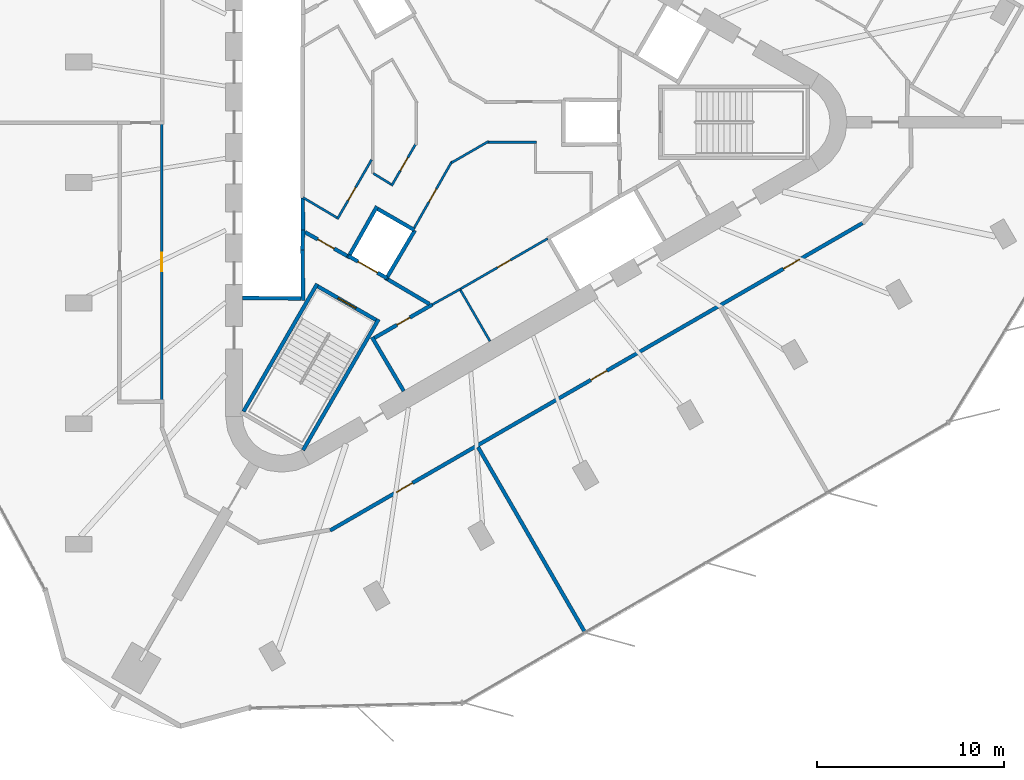
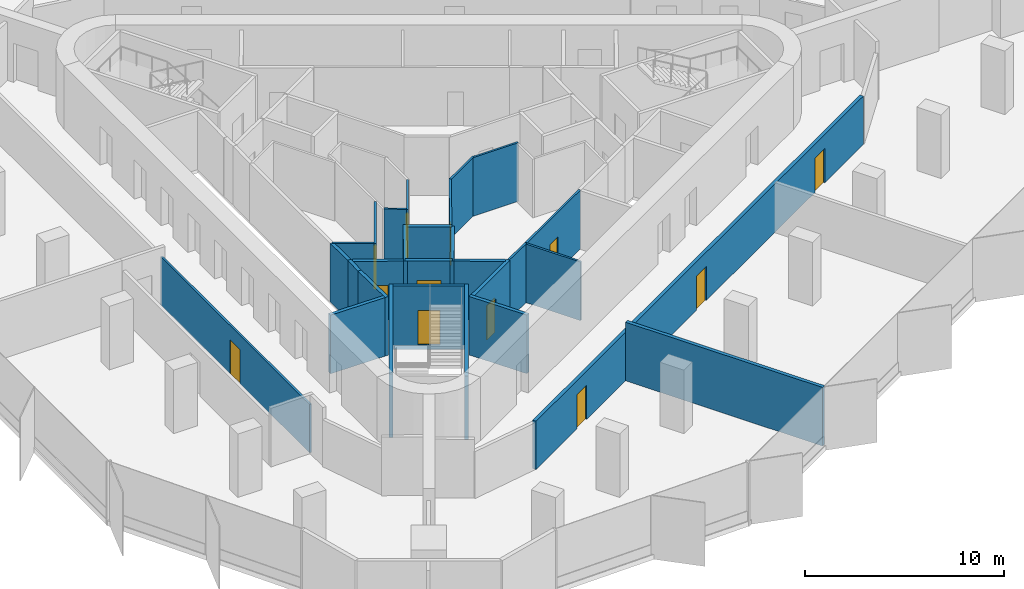
# One storey, part 7 of 12: 28 walls, 12 doors, 12 openings.
"""IFC4 building model written with IfcOpenShell, lengths in metres."""

from ifc_helpers import new_model, si_unit, direction, frame, frame_2d, origin, place, context, subcontext, project, spatial, rectangle, extrude, material, layer, layer_set, type_object, element, fill, save


model = new_model("IFC4")

# Units and contexts
model_context = context("Model", 3, precision=1e-05, world=origin(), true_north=direction((0.0, 1.0)))
body_context = subcontext(model_context, "Body", "Model", "MODEL_VIEW")
ifc_project = project(units=[si_unit("LENGTHUNIT", "METRE"), si_unit("AREAUNIT", "SQUARE_METRE"), si_unit("VOLUMEUNIT", "CUBIC_METRE"), si_unit("PLANEANGLEUNIT", "RADIAN"), si_unit("MASSUNIT", "GRAM", prefix="KILO")], contexts=[model_context])

# Site, building, storey
site_placement = place(None, origin())
site = spatial("IfcSite", under=ifc_project, at=site_placement, CompositionType="ELEMENT")
building_placement = place(site_placement, origin())
building = spatial("IfcBuilding", under=site, at=building_placement, Name="Tanit Gate Tower", CompositionType="ELEMENT")
storey_placement = place(building_placement, frame((0.0, 0.0, 333.800048828125)))
storey = spatial("IfcBuildingStorey", under=building, at=storey_placement, Name="L75", CompositionType="ELEMENT", Elevation=333.800048828125)

# Wall
ifc_material_1 = material(Name="Fire-rated gypsum board partition")
ifc_layer_1 = layer(ifc_material_1, 0.199951171875)
ifc_layer_set_1 = layer_set([ifc_layer_1], Name="INT-WALL-COMPARTMENT")
wall_type_1 = type_object("IfcWallType", Name="INT-WALL-COMPARTMENT", PredefinedType="PARTITIONING", material=ifc_layer_set_1)
wall_1_placement = place(storey_placement, frame((-4.259765625, -11.523681640625, 0.0), z_axis=(0.0, 0.0, 1.0), x_axis=(0.507997497166, -0.861358544901, 0.0)))
element("IfcWall", 1, at=wall_1_placement, inside=storey, type_object=wall_type_1, Name="Wall Compartment W053", PredefinedType="PARTITIONING", context=body_context, shape_type="SweptSolid", body=[
    extrude(rectangle(XDim=3.350341796875, YDim=0.199951171875, at=frame_2d((1.67529296875, 0.0))), origin(), (0.0, 0.0, 1.0), 3.599853515625),
])

# Wall, opening, door
wall_2_placement = place(storey_placement, frame((-1.02392578125, -9.77099609375, 0.0), z_axis=(0.0, 0.0, 1.0), x_axis=(-0.866029903013, -0.499992207027, 0.0)))
wall_2 = element("IfcWall", 2, at=wall_2_placement, inside=storey, type_object=wall_type_1, Name="Wall Compartment W054", PredefinedType="PARTITIONING", context=body_context, shape_type="SweptSolid", body=[
    extrude(rectangle(XDim=3.57763671875, YDim=0.199951171875, at=frame_2d((1.788818359375, 0.0))), origin(), (0.0, 0.0, 1.0), 3.599853515625),
])
opening_1_placement = place(wall_2_placement, frame((1.388916015625, 0.0, 0.0)))
opening_1 = element("IfcOpeningElement", 3, at=opening_1_placement, cuts=wall_2, Name="Opening R08-S21-17", PredefinedType="OPENING", context=body_context, shape_type="SweptSolid", body=[
    extrude(rectangle(XDim=0.800048828125, YDim=2.10009765625, at=frame_2d((0.39990234375, 1.050048828125))), frame((0.0, 0.10986328125, 0.0), z_axis=(0.0, -1.0, 0.0), x_axis=(1.0, 0.0, 0.0)), (0.0, 0.0, 1.0), 0.219970703125),
])
ifc_material_2 = material(Name="Timber door leaf", Category="wood")
door_type_1 = type_object("IfcDoorType", Name="INT-DOOR-RISER-800", OperationType="NOTDEFINED", PredefinedType="USERDEFINED", material=ifc_material_2)
door_1_placement = place(opening_1_placement, origin())
door_1 = element("IfcDoor", 4, at=door_1_placement, inside=storey, type_object=door_type_1, Name="Door R08-S21-17", ObjectType="FIRE DOOR", OperationType="SINGLE_SWING_RIGHT", OverallHeight=2.10009765625, OverallWidth=0.800048828125, PredefinedType="USERDEFINED", context=body_context, shape_type="SweptSolid", body=[
    extrude(rectangle(XDim=0.800048828125, YDim=2.10009765625, at=frame_2d((0.39990234375, 1.050048828125))), frame((0.0, 0.02490234375, 0.0), z_axis=(0.0, -1.0, 0.0), x_axis=(1.0, 0.0, 0.0)), (0.0, 0.0, 1.0), 0.050048828125),
])
fill(opening_1, door_1)

# Wall
wall_3_placement = place(storey_placement, frame((-3.400634765625, -8.43017578125, 0.0), z_axis=(0.0, 0.0, 1.0), x_axis=(0.860630814782, -0.509229418482, 0.0)))
element("IfcWall", 5, at=wall_3_placement, inside=storey, type_object=wall_type_1, Name="Wall Compartment W063", PredefinedType="PARTITIONING", context=body_context, shape_type="SweptSolid", body=[
    extrude(rectangle(XDim=2.581787109375, YDim=0.199951171875, at=frame_2d((1.291015625, 0.0))), origin(), (0.0, 0.0, 1.0), 3.599853515625),
])

# Wall, opening, door
wall_4_placement = place(storey_placement, frame((-7.849365234375, -5.893798828125, 0.0), z_axis=(0.0, 0.0, 1.0), x_axis=(0.871363259478, -0.490638431059, 0.0)))
wall_4 = element("IfcWall", 6, at=wall_4_placement, inside=storey, type_object=wall_type_1, Name="Wall Compartment W064", PredefinedType="PARTITIONING", context=body_context, shape_type="SweptSolid", body=[
    extrude(rectangle(XDim=2.5810546875, YDim=0.199951171875, at=frame_2d((1.29052734375, 0.0))), origin(), (0.0, 0.0, 1.0), 3.599853515625),
])
opening_2_placement = place(wall_4_placement, frame((0.79052734375, 0.0, 0.0)))
opening_2 = element("IfcOpeningElement", 7, at=opening_2_placement, cuts=wall_4, Name="Opening F10-S21-08", PredefinedType="OPENING", context=body_context, shape_type="SweptSolid", body=[
    extrude(rectangle(XDim=1.0, YDim=2.10009765625, at=frame_2d((0.5, 1.050048828125))), frame((0.0, 0.10986328125, 0.0), z_axis=(0.0, -1.0, 0.0), x_axis=(1.0, 0.0, 0.0)), (0.0, 0.0, 1.0), 0.219970703125),
])
ifc_material_3 = material(Name="Fire-rated steel door leaf", Category="steel")
door_type_2 = type_object("IfcDoorType", Name="INT-DOOR-FIRE-1000", OperationType="NOTDEFINED", PredefinedType="USERDEFINED", material=ifc_material_3)
door_2_placement = place(opening_2_placement, origin())
door_2 = element("IfcDoor", 8, at=door_2_placement, inside=storey, type_object=door_type_2, Name="Door F10-S21-08", ObjectType="FIRE DOOR", OperationType="SINGLE_SWING_RIGHT", OverallHeight=2.10009765625, OverallWidth=1.0, PredefinedType="USERDEFINED", context=body_context, shape_type="SweptSolid", body=[
    extrude(rectangle(XDim=1.0, YDim=2.10009765625, at=frame_2d((0.5, 1.050048828125))), frame((0.0, 0.02490234375, 0.0), z_axis=(0.0, -1.0, 0.0), x_axis=(1.0, 0.0, 0.0)), (0.0, 0.0, 1.0), 0.050048828125),
])
fill(opening_2, door_2)

# Wall, openings, doors
wall_5_placement = place(storey_placement, frame((-6.505126953125, -21.884521484375, 0.0), z_axis=(0.0, 0.0, 1.0), x_axis=(0.86602457258, 0.500001439686, 0.0)))
wall_5 = element("IfcWall", 9, at=wall_5_placement, inside=storey, type_object=wall_type_1, Name="Wall Compartment W106", PredefinedType="PARTITIONING", context=body_context, shape_type="SweptSolid", body=[
    extrude(rectangle(XDim=32.95166015625, YDim=0.199951171875, at=frame_2d((16.475830078125, 0.0))), origin(), (0.0, 0.0, 1.0), 2.969970703125),
])
opening_3_placement = place(wall_5_placement, frame((28.06103515625, 0.0, 0.0)))
opening_3 = element("IfcOpeningElement", 10, at=opening_3_placement, cuts=wall_5, Name="Opening F10-S21-30", PredefinedType="OPENING", context=body_context, shape_type="SweptSolid", body=[
    extrude(rectangle(XDim=1.0, YDim=2.10009765625, at=frame_2d((0.5, 1.050048828125))), frame((0.0, 0.10986328125, 0.0), z_axis=(0.0, -1.0, 0.0), x_axis=(1.0, 0.0, 0.0)), (0.0, 0.0, 1.0), 0.219970703125),
])
opening_4_placement = place(wall_5_placement, frame((16.13671875, 0.0, 0.0)))
opening_4 = element("IfcOpeningElement", 11, at=opening_4_placement, cuts=wall_5, Name="Opening F10-S21-31", PredefinedType="OPENING", context=body_context, shape_type="SweptSolid", body=[
    extrude(rectangle(XDim=1.0, YDim=2.10009765625, at=frame_2d((0.5, 1.050048828125))), frame((0.0, 0.10986328125, 0.0), z_axis=(0.0, -1.0, 0.0), x_axis=(1.0, 0.0, 0.0)), (0.0, 0.0, 1.0), 0.219970703125),
])
opening_5_placement = place(wall_5_placement, frame((4.101318359375, 0.0, 0.0)))
opening_5 = element("IfcOpeningElement", 12, at=opening_5_placement, cuts=wall_5, Name="Opening F10-S21-32", PredefinedType="OPENING", context=body_context, shape_type="SweptSolid", body=[
    extrude(rectangle(XDim=1.0, YDim=2.10009765625, at=frame_2d((0.5, 1.050048828125))), frame((0.0, 0.10986328125, 0.0), z_axis=(0.0, -1.0, 0.0), x_axis=(1.0, 0.0, 0.0)), (0.0, 0.0, 1.0), 0.219970703125),
])
door_3_placement = place(opening_3_placement, origin())
door_3 = element("IfcDoor", 13, at=door_3_placement, inside=storey, type_object=door_type_2, Name="Door F10-S21-30", ObjectType="FIRE DOOR", OperationType="SINGLE_SWING_RIGHT", OverallHeight=2.10009765625, OverallWidth=1.0, PredefinedType="USERDEFINED", context=body_context, shape_type="SweptSolid", body=[
    extrude(rectangle(XDim=1.0, YDim=2.10009765625, at=frame_2d((0.5, 1.050048828125))), frame((0.0, 0.02490234375, 0.0), z_axis=(0.0, -1.0, 0.0), x_axis=(1.0, 0.0, 0.0)), (0.0, 0.0, 1.0), 0.050048828125),
])
fill(opening_3, door_3)
door_4_placement = place(opening_4_placement, origin())
door_4 = element("IfcDoor", 14, at=door_4_placement, inside=storey, type_object=door_type_2, Name="Door F10-S21-31", ObjectType="FIRE DOOR", OperationType="SINGLE_SWING_RIGHT", OverallHeight=2.10009765625, OverallWidth=1.0, PredefinedType="USERDEFINED", context=body_context, shape_type="SweptSolid", body=[
    extrude(rectangle(XDim=1.0, YDim=2.10009765625, at=frame_2d((0.5, 1.050048828125))), frame((0.0, 0.02490234375, 0.0), z_axis=(0.0, -1.0, 0.0), x_axis=(1.0, 0.0, 0.0)), (0.0, 0.0, 1.0), 0.050048828125),
])
fill(opening_4, door_4)
door_5_placement = place(opening_5_placement, origin())
door_5 = element("IfcDoor", 15, at=door_5_placement, inside=storey, type_object=door_type_2, Name="Door F10-S21-32", ObjectType="FIRE DOOR", OperationType="SINGLE_SWING_RIGHT", OverallHeight=2.10009765625, OverallWidth=1.0, PredefinedType="USERDEFINED", context=body_context, shape_type="SweptSolid", body=[
    extrude(rectangle(XDim=1.0, YDim=2.10009765625, at=frame_2d((0.5, 1.050048828125))), frame((0.0, 0.02490234375, 0.0), z_axis=(0.0, -1.0, 0.0), x_axis=(1.0, 0.0, 0.0)), (0.0, 0.0, 1.0), 0.050048828125),
])
fill(opening_5, door_5)

# Walls
wall_6_placement = place(storey_placement, frame((7.156005859375, -27.342529296875, 0.0), z_axis=(0.0, 0.0, 1.0), x_axis=(-0.499948106888, 0.866055362214, 0.0)))
element("IfcWall", 16, at=wall_6_placement, inside=storey, type_object=wall_type_1, Name="Wall Compartment W125", PredefinedType="PARTITIONING", context=body_context, shape_type="SweptSolid", body=[
    extrude(rectangle(XDim=11.457275390625, YDim=0.199951171875, at=frame_2d((5.728515625, 0.0))), origin(), (0.0, 0.0, 1.0), 3.599853515625),
])
ifc_material_4 = material(Name="Gypsum board partition")
ifc_layer_2 = layer(ifc_material_4, 0.1201171875)
ifc_layer_set_2 = layer_set([ifc_layer_2], Name="INT-WALL-PARTITION")
wall_type_2 = type_object("IfcWallType", Name="INT-WALL-PARTITION", PredefinedType="PARTITIONING", material=ifc_layer_set_2)
wall_7_placement = place(storey_placement, frame((2.066650390625, -11.739501953125, 0.0), z_axis=(0.0, 0.0, 1.0), x_axis=(-0.499984717929, 0.866034226713, 0.0)))
element("IfcWall", 17, at=wall_7_placement, inside=storey, type_object=wall_type_2, Name="Wall Partition W052", PredefinedType="PARTITIONING", context=body_context, shape_type="SweptSolid", body=[
    extrude(rectangle(XDim=3.25, YDim=0.1201171875, at=frame_2d((1.625, 0.0))), origin(), (0.0, 0.0, 1.0), 3.599853515625),
])
wall_8_placement = place(storey_placement, frame((-1.0234375, -9.77197265625, 0.0), z_axis=(0.0, 0.0, 1.0), x_axis=(0.874290944206, 0.485402250592, 0.0)))
element("IfcWall", 18, at=wall_8_placement, inside=storey, type_object=wall_type_2, Name="Wall Partition W055", PredefinedType="PARTITIONING", context=body_context, shape_type="SweptSolid", body=[
    extrude(rectangle(XDim=1.72265625, YDim=0.1201171875, at=frame_2d((0.861328125, 0.0))), origin(), (0.0, 0.0, 1.0), 3.599853515625),
])

# Wall, opening, door
wall_9_placement = place(storey_placement, frame((0.482666015625, -8.935791015625, 0.0), z_axis=(0.0, 0.0, 1.0), x_axis=(0.866028230842, 0.499995103361, 0.0)))
wall_9 = element("IfcWall", 19, at=wall_9_placement, inside=storey, type_object=wall_type_2, Name="Wall Partition W056", PredefinedType="PARTITIONING", context=body_context, shape_type="SweptSolid", body=[
    extrude(rectangle(XDim=5.39990234375, YDim=0.1201171875, at=frame_2d((2.699951171875, 0.0))), origin(), (0.0, 0.0, 1.0), 3.599853515625),
])
opening_6_placement = place(wall_9_placement, frame((2.300048828125, 0.0, 0.0)))
opening_6 = element("IfcOpeningElement", 20, at=opening_6_placement, cuts=wall_9, Name="Opening R08-S21-18", PredefinedType="OPENING", context=body_context, shape_type="SweptSolid", body=[
    extrude(rectangle(XDim=0.800048828125, YDim=2.10009765625, at=frame_2d((0.39990234375, 1.050048828125))), frame((0.0, 0.070068359375, 0.0), z_axis=(0.0, -1.0, 0.0), x_axis=(1.0, 0.0, 0.0)), (0.0, 0.0, 1.0), 0.14013671875),
])
door_6_placement = place(opening_6_placement, origin())
door_6 = element("IfcDoor", 21, at=door_6_placement, inside=storey, type_object=door_type_1, Name="Door R08-S21-18", ObjectType="FIRE DOOR", OperationType="SINGLE_SWING_RIGHT", OverallHeight=2.10009765625, OverallWidth=0.800048828125, PredefinedType="USERDEFINED", context=body_context, shape_type="SweptSolid", body=[
    extrude(rectangle(XDim=0.800048828125, YDim=2.10009765625, at=frame_2d((0.39990234375, 1.050048828125))), frame((0.0, 0.02490234375, 0.0), z_axis=(0.0, -1.0, 0.0), x_axis=(1.0, 0.0, 0.0)), (0.0, 0.0, 1.0), 0.050048828125),
])
fill(opening_6, door_6)

wall_10_placement = place(storey_placement, frame((0.02880859375, -2.0986328125, 0.0), z_axis=(0.0, 0.0, 1.0), x_axis=(-0.49376265119, -0.869596713592, 0.0)))
wall_10 = element("IfcWall", 22, at=wall_10_placement, inside=storey, type_object=wall_type_2, Name="Wall Partition W068", PredefinedType="PARTITIONING", context=body_context, shape_type="SweptSolid", body=[
    extrude(rectangle(XDim=4.096923828125, YDim=0.1201171875, at=frame_2d((2.04833984375, 0.0))), origin(), (0.0, 0.0, 1.0), 3.599853515625),
])
opening_7_placement = place(wall_10_placement, frame((1.69970703125, 0.0, 0.0)))
opening_7 = element("IfcOpeningElement", 23, at=opening_7_placement, cuts=wall_10, Name="Opening R08-S21-11", PredefinedType="OPENING", context=body_context, shape_type="SweptSolid", body=[
    extrude(rectangle(XDim=0.800048828125, YDim=2.10009765625, at=frame_2d((0.39990234375, 1.050048828125))), frame((0.0, 0.070068359375, 0.0), z_axis=(0.0, -1.0, 0.0), x_axis=(1.0, 0.0, 0.0)), (0.0, 0.0, 1.0), 0.14013671875),
])
door_7_placement = place(opening_7_placement, origin())
door_7 = element("IfcDoor", 24, at=door_7_placement, inside=storey, type_object=door_type_1, Name="Door R08-S21-11", ObjectType="FIRE DOOR", OperationType="SINGLE_SWING_LEFT", OverallHeight=2.10009765625, OverallWidth=0.800048828125, PredefinedType="USERDEFINED", context=body_context, shape_type="SweptSolid", body=[
    extrude(rectangle(XDim=0.800048828125, YDim=2.10009765625, at=frame_2d((0.39990234375, 1.050048828125))), frame((0.0, 0.02490234375, 0.0), z_axis=(0.0, -1.0, 0.0), x_axis=(1.0, 0.0, 0.0)), (0.0, 0.0, 1.0), 0.050048828125),
])
fill(opening_7, door_7)

# Walls
wall_11_placement = place(storey_placement, frame((1.995361328125, -1.02294921875, 0.0), z_axis=(0.0, 0.0, 1.0), x_axis=(-0.866043041921, -0.499969448606, 0.0)))
element("IfcWall", 25, at=wall_11_placement, inside=storey, type_object=wall_type_2, Name="Wall Partition W069", PredefinedType="PARTITIONING", context=body_context, shape_type="SweptSolid", body=[
    extrude(rectangle(XDim=2.310302734375, YDim=0.1201171875, at=frame_2d((1.1552734375, 0.0))), origin(), (0.0, 0.0, 1.0), 3.599853515625),
])
wall_12_placement = place(storey_placement, frame((4.56005859375, -1.074951171875, 0.0), z_axis=(0.0, 0.0, 1.0), x_axis=(-1.0, 0.0, 0.0)))
element("IfcWall", 26, at=wall_12_placement, inside=storey, type_object=wall_type_2, Name="Wall Partition W070", PredefinedType="PARTITIONING", context=body_context, shape_type="SweptSolid", body=[
    extrude(rectangle(XDim=2.63623046875, YDim=0.1201171875, at=frame_2d((1.318115234375, 0.0))), origin(), (0.0, 0.0, 1.0), 3.599853515625),
])

# Wall, opening, door
wall_13_placement = place(storey_placement, frame((-6.1181640625, -5.197265625, 0.0), z_axis=(0.0, 0.0, 1.0), x_axis=(0.499979045085, 0.866037501772, 0.0)))
wall_13 = element("IfcWall", 27, at=wall_13_placement, inside=storey, type_object=wall_type_2, Name="Wall Partition W075", PredefinedType="PARTITIONING", context=body_context, shape_type="SweptSolid", body=[
    extrude(rectangle(XDim=3.678955078125, YDim=0.1201171875, at=frame_2d((1.83935546875, 0.0))), origin(), (0.0, 0.0, 1.0), 3.599853515625),
])
opening_8_placement = place(wall_13_placement, frame((1.159912109375, 0.0, 0.0)))
opening_8 = element("IfcOpeningElement", 28, at=opening_8_placement, cuts=wall_13, Name="Opening R08-S21-12", PredefinedType="OPENING", context=body_context, shape_type="SweptSolid", body=[
    extrude(rectangle(XDim=0.800048828125, YDim=2.10009765625, at=frame_2d((0.39990234375, 1.050048828125))), frame((0.0, 0.070068359375, 0.0), z_axis=(0.0, -1.0, 0.0), x_axis=(1.0, 0.0, 0.0)), (0.0, 0.0, 1.0), 0.14013671875),
])
door_8_placement = place(opening_8_placement, origin())
door_8 = element("IfcDoor", 29, at=door_8_placement, inside=storey, type_object=door_type_1, Name="Door R08-S21-12", ObjectType="FIRE DOOR", OperationType="SINGLE_SWING_RIGHT", OverallHeight=2.10009765625, OverallWidth=0.800048828125, PredefinedType="USERDEFINED", context=body_context, shape_type="SweptSolid", body=[
    extrude(rectangle(XDim=0.800048828125, YDim=2.10009765625, at=frame_2d((0.39990234375, 1.050048828125))), frame((0.0, 0.02490234375, 0.0), z_axis=(0.0, -1.0, 0.0), x_axis=(1.0, 0.0, 0.0)), (0.0, 0.0, 1.0), 0.050048828125),
])
fill(opening_8, door_8)

# Wall
wall_14_placement = place(storey_placement, frame((-7.949951171875, -4.041015625, 0.0), z_axis=(0.0, 0.0, 1.0), x_axis=(0.860112457103, -0.510104461004, 0.0)))
element("IfcWall", 30, at=wall_14_placement, inside=storey, type_object=wall_type_2, Name="Wall Partition W076", PredefinedType="PARTITIONING", context=body_context, shape_type="SweptSolid", body=[
    extrude(rectangle(XDim=2.1044921875, YDim=0.1201171875, at=frame_2d((1.05224609375, 0.0))), origin(), (0.0, 0.0, 1.0), 3.599853515625),
])

# Wall, opening, door
wall_15_placement = place(storey_placement, frame((-3.2109375, -3.41162109375, 0.0), z_axis=(0.0, 0.0, 1.0), x_axis=(0.500013727357, 0.866017478146, 0.0)))
wall_15 = element("IfcWall", 31, at=wall_15_placement, inside=storey, type_object=wall_type_2, Name="Wall Partition W082", PredefinedType="PARTITIONING", context=body_context, shape_type="SweptSolid", body=[
    extrude(rectangle(XDim=2.63623046875, YDim=0.1201171875, at=frame_2d((1.318115234375, 0.0))), origin(), (0.0, 0.0, 1.0), 3.599853515625),
])
opening_9_placement = place(wall_15_placement, frame((0.947998046875, 0.0, 0.0)))
opening_9 = element("IfcOpeningElement", 32, at=opening_9_placement, cuts=wall_15, Name="Opening R08-S21-13", PredefinedType="OPENING", context=body_context, shape_type="SweptSolid", body=[
    extrude(rectangle(XDim=0.800048828125, YDim=2.10009765625, at=frame_2d((0.39990234375, 1.050048828125))), frame((0.0, 0.070068359375, 0.0), z_axis=(0.0, -1.0, 0.0), x_axis=(1.0, 0.0, 0.0)), (0.0, 0.0, 1.0), 0.14013671875),
])
door_9_placement = place(opening_9_placement, origin())
door_9 = element("IfcDoor", 33, at=door_9_placement, inside=storey, type_object=door_type_1, Name="Door R08-S21-13", ObjectType="FIRE DOOR", OperationType="SINGLE_SWING_RIGHT", OverallHeight=2.10009765625, OverallWidth=0.800048828125, PredefinedType="USERDEFINED", context=body_context, shape_type="SweptSolid", body=[
    extrude(rectangle(XDim=0.800048828125, YDim=2.10009765625, at=frame_2d((0.39990234375, 1.050048828125))), frame((0.0, 0.02490234375, 0.0), z_axis=(0.0, -1.0, 0.0), x_axis=(1.0, 0.0, 0.0)), (0.0, 0.0, 1.0), 0.050048828125),
])
fill(opening_9, door_9)

# Wall
wall_16_placement = place(storey_placement, frame((-4.188720703125, -2.74365234375, 0.0), z_axis=(0.0, 0.0, 1.0), x_axis=(0.853217230587, -0.521555708845, 0.0)))
element("IfcWall", 34, at=wall_16_placement, inside=storey, type_object=wall_type_2, Name="Wall Partition W083", PredefinedType="PARTITIONING", context=body_context, shape_type="SweptSolid", body=[
    extrude(rectangle(XDim=1.12109375, YDim=0.1201171875, at=frame_2d((0.560546875, 0.0))), origin(), (0.0, 0.0, 1.0), 3.599853515625),
])

# Wall, opening, door
wall_17_placement = place(storey_placement, frame((-15.530029296875, 0.0, 0.0), z_axis=(0.0, 0.0, 1.0), x_axis=(0.0, -1.0, 0.0)))
wall_17 = element("IfcWall", 35, at=wall_17_placement, inside=storey, type_object=wall_type_2, Name="Wall Partition W084", PredefinedType="PARTITIONING", context=body_context, shape_type="SweptSolid", body=[
    extrude(rectangle(XDim=15.0, YDim=0.1201171875, at=frame_2d((7.5, 0.0))), origin(), (0.0, 0.0, 1.0), 2.969970703125),
])
opening_10_placement = place(wall_17_placement, frame((7.0, 0.0, 0.0)))
opening_10 = element("IfcOpeningElement", 36, at=opening_10_placement, cuts=wall_17, Name="Opening D10-S21-21", PredefinedType="OPENING", context=body_context, shape_type="SweptSolid", body=[
    extrude(rectangle(XDim=1.0, YDim=2.10009765625, at=frame_2d((0.5, 1.050048828125))), frame((0.0, 0.070068359375, 0.0), z_axis=(0.0, -1.0, 0.0), x_axis=(1.0, 0.0, 0.0)), (0.0, 0.0, 1.0), 0.14013671875),
])
ifc_material_5 = material(Name="Timber door leaf", Category="wood")
door_type_3 = type_object("IfcDoorType", Name="INT-DOOR-SINGLE-1000", OperationType="NOTDEFINED", PredefinedType="NOTDEFINED", material=ifc_material_5)
door_10_placement = place(opening_10_placement, origin())
door_10 = element("IfcDoor", 37, at=door_10_placement, inside=storey, type_object=door_type_3, Name="Door D10-S21-21", OperationType="SINGLE_SWING_LEFT", OverallHeight=2.10009765625, OverallWidth=1.0, PredefinedType="NOTDEFINED", context=body_context, shape_type="SweptSolid", body=[
    extrude(rectangle(XDim=1.0, YDim=2.10009765625, at=frame_2d((0.5, 1.050048828125))), frame((0.0, 0.02490234375, 0.0), z_axis=(0.0, -1.0, 0.0), x_axis=(1.0, 0.0, 0.0)), (0.0, 0.0, 1.0), 0.050048828125),
])
fill(opening_10, door_10)

# Walls
ifc_material_6 = material(Name="Gypsum shaft wall system")
ifc_layer_3 = layer(ifc_material_6, 0.199951171875)
ifc_layer_set_3 = layer_set([ifc_layer_3], Name="INT-WALL-SHAFT")
wall_type_3 = type_object("IfcWallType", Name="INT-WALL-SHAFT", PredefinedType="PLUMBINGWALL", material=ifc_layer_set_3)
wall_18_placement = place(storey_placement, frame((-7.949951171875, -5.7724609375, 0.0), z_axis=(0.0, 0.0, 1.0), x_axis=(-0.030803413295, -0.999525462272, 0.0)))
element("IfcWall", 38, at=wall_18_placement, inside=storey, type_object=wall_type_3, Name="Wall Shaft W008", PredefinedType="PLUMBINGWALL", context=body_context, shape_type="SweptSolid", body=[
    extrude(rectangle(XDim=1.077880859375, YDim=0.199951171875, at=frame_2d((0.5390625, 0.0))), origin(), (0.0, 0.0, 1.0), 3.599853515625),
])
wall_19_placement = place(storey_placement, frame((-7.971435546875, -4.050048828125, 0.0), z_axis=(0.0, 0.0, 1.0), x_axis=(0.012042535896, -0.999927486035, 0.0)))
element("IfcWall", 39, at=wall_19_placement, inside=storey, type_object=wall_type_3, Name="Wall Shaft W009", PredefinedType="PLUMBINGWALL", context=body_context, shape_type="SweptSolid", body=[
    extrude(rectangle(XDim=1.844970703125, YDim=0.199951171875, at=frame_2d((0.92236328125, 0.0))), origin(), (0.0, 0.0, 1.0), 3.599853515625),
])
wall_20_placement = place(storey_placement, frame((-7.97900390625, -6.85009765625, 0.0), z_axis=(0.0, 0.0, 1.0), x_axis=(0.011121475088, -0.999938154483, 0.0)))
element("IfcWall", 40, at=wall_20_placement, inside=storey, type_object=wall_type_3, Name="Wall Shaft W010", PredefinedType="PLUMBINGWALL", context=body_context, shape_type="SweptSolid", body=[
    extrude(rectangle(XDim=2.7001953125, YDim=0.199951171875, at=frame_2d((1.35009765625, 0.0))), origin(), (0.0, 0.0, 1.0), 3.599853515625),
])
wall_21_placement = place(storey_placement, frame((-8.050048828125, -9.448974609375, 0.0), z_axis=(0.0, 0.0, 1.0), x_axis=(-0.999957467379, 0.009222983926, 0.0)))
element("IfcWall", 41, at=wall_21_placement, inside=storey, type_object=wall_type_3, Name="Wall Shaft W011", PredefinedType="PLUMBINGWALL", context=body_context, shape_type="SweptSolid", body=[
    extrude(rectangle(XDim=3.150146484375, YDim=0.199951171875, at=frame_2d((1.5751953125, 0.0))), origin(), (0.0, 0.0, 1.0), 3.599853515625),
])

# Wall, opening, door
wall_22_placement = place(storey_placement, frame((-3.44580078125, -8.3681640625, 0.0), z_axis=(0.0, 0.0, 1.0), x_axis=(-0.866024647952, 0.500001309137, 0.0)))
wall_22 = element("IfcWall", 42, at=wall_22_placement, inside=storey, type_object=wall_type_3, Name="Wall Shaft W040", PredefinedType="PLUMBINGWALL", context=body_context, shape_type="SweptSolid", body=[
    extrude(rectangle(XDim=2.39990234375, YDim=0.199951171875, at=frame_2d((1.199951171875, 0.0))), origin(), (0.0, 0.0, 1.0), 3.599853515625),
])
opening_11_placement = place(wall_22_placement, frame((0.60009765625, 0.0, 0.0)))
opening_11 = element("IfcOpeningElement", 43, at=opening_11_placement, cuts=wall_22, Name="Opening LDFL3-L75", PredefinedType="OPENING", context=body_context, shape_type="SweptSolid", body=[
    extrude(rectangle(XDim=1.199951171875, YDim=2.39990234375, at=frame_2d((0.60009765625, 1.199951171875))), frame((0.0, 0.10986328125, 0.0), z_axis=(0.0, -1.0, 0.0), x_axis=(1.0, 0.0, 0.0)), (0.0, 0.0, 1.0), 0.219970703125),
])
ifc_material_7 = material(Name="Stainless steel sliding door leaf", Category="steel")
door_type_4 = type_object("IfcDoorType", Name="INT-DOOR-LANDING-1200", OperationType="NOTDEFINED", PredefinedType="USERDEFINED", material=ifc_material_7)
door_11_placement = place(opening_11_placement, origin())
door_11 = element("IfcDoor", 44, at=door_11_placement, inside=storey, type_object=door_type_4, Name="Door LDFL3-L75", ObjectType="LANDING DOOR", OperationType="SLIDING_TO_LEFT", OverallHeight=2.39990234375, OverallWidth=1.199951171875, PredefinedType="USERDEFINED", context=body_context, shape_type="SweptSolid", body=[
    extrude(rectangle(XDim=1.199951171875, YDim=2.39990234375, at=frame_2d((0.60009765625, 1.199951171875))), frame((0.0, 0.02490234375, 0.0), z_axis=(0.0, -1.0, 0.0), x_axis=(1.0, 0.0, 0.0)), (0.0, 0.0, 1.0), 0.050048828125),
])
fill(opening_11, door_11)

# Walls
wall_23_placement = place(storey_placement, frame((-1.960693359375, -5.796142578125, 0.0), z_axis=(0.0, 0.0, 1.0), x_axis=(-0.508647062354, -0.860975125052, 0.0)))
element("IfcWall", 45, at=wall_23_placement, inside=storey, type_object=wall_type_3, Name="Wall Shaft W041", PredefinedType="PLUMBINGWALL", context=body_context, shape_type="SweptSolid", body=[
    extrude(rectangle(XDim=3.10009765625, YDim=0.199951171875, at=frame_2d((1.550048828125, 0.0))), origin(), (0.0, 0.0, 1.0), 3.599853515625),
])
wall_24_placement = place(storey_placement, frame((-3.989990234375, -4.509033203125, 0.0), z_axis=(0.0, 0.0, 1.0), x_axis=(-0.491358283181, -0.870957540612, 0.0)))
element("IfcWall", 46, at=wall_24_placement, inside=storey, type_object=wall_type_3, Name="Wall Shaft W042", PredefinedType="PLUMBINGWALL", context=body_context, shape_type="SweptSolid", body=[
    extrude(rectangle(XDim=3.200439453125, YDim=0.199951171875, at=frame_2d((1.60009765625, 0.0))), origin(), (0.0, 0.0, 1.0), 3.599853515625),
])
wall_25_placement = place(storey_placement, frame((-3.95263671875, -4.646240234375, 0.0), z_axis=(0.0, 0.0, 1.0), x_axis=(0.866065302921, -0.4999308863, 0.0)))
element("IfcWall", 47, at=wall_25_placement, inside=storey, type_object=wall_type_3, Name="Wall Shaft W043", PredefinedType="PLUMBINGWALL", context=body_context, shape_type="SweptSolid", body=[
    extrude(rectangle(XDim=2.264404296875, YDim=0.199951171875, at=frame_2d((1.13232421875, 0.0))), origin(), (0.0, 0.0, 1.0), 3.599853515625),
])
ifc_material_8 = material(Name="Concrete C40/50", Category="concrete")
ifc_layer_4 = layer(ifc_material_8, 0.199951171875)
ifc_layer_set_4 = layer_set([ifc_layer_4], Name="INT-WALL-STAIR")
wall_type_4 = type_object("IfcWallType", Name="INT-WALL-STAIR", PredefinedType="SHEAR", material=ifc_layer_set_4)
wall_26_placement = place(storey_placement, frame((-3.904541015625, -10.56298828125, -0.300048828125), z_axis=(0.0, 0.0, 1.0), x_axis=(-0.500012932018, -0.866017937352, 0.0)))
element("IfcWall", 48, at=wall_26_placement, inside=storey, type_object=wall_type_4, Name="Wall Stair W036", PredefinedType="SHEAR", context=body_context, shape_type="SweptSolid", body=[
    extrude(rectangle(XDim=8.099853515625, YDim=0.199951171875, at=frame_2d((4.0498046875, 0.0))), origin(), (0.0, 0.0, 1.0), 3.89990234375),
])
wall_27_placement = place(storey_placement, frame((-7.195556640625, -8.662841796875, -0.300048828125), z_axis=(0.0, 0.0, 1.0), x_axis=(-0.499997992926, -0.866026562566, 0.0)))
element("IfcWall", 49, at=wall_27_placement, inside=storey, type_object=wall_type_4, Name="Wall Stair W038", PredefinedType="SHEAR", context=body_context, shape_type="SweptSolid", body=[
    extrude(rectangle(XDim=7.89990234375, YDim=0.199951171875, at=frame_2d((3.949951171875, 0.0))), origin(), (0.0, 0.0, 1.0), 3.89990234375),
])

# Wall, opening, door
wall_28_placement = place(storey_placement, frame((-4.041259765625, -10.599365234375, -0.300048828125), z_axis=(0.0, 0.0, 1.0), x_axis=(-0.866047807691, 0.499961193289, 0.0)))
wall_28 = element("IfcWall", 50, at=wall_28_placement, inside=storey, type_object=wall_type_4, Name="Wall Stair W039", PredefinedType="SHEAR", context=body_context, shape_type="SweptSolid", body=[
    extrude(rectangle(XDim=3.599853515625, YDim=0.199951171875, at=frame_2d((1.7998046875, 0.0))), origin(), (0.0, 0.0, 1.0), 3.89990234375),
])
opening_12_placement = place(wall_28_placement, frame((1.25, 0.0, 0.300048828125)))
opening_12 = element("IfcOpeningElement", 51, at=opening_12_placement, cuts=wall_28, Name="Opening S11-S21-07", PredefinedType="OPENING", context=body_context, shape_type="SweptSolid", body=[
    extrude(rectangle(XDim=1.10009765625, YDim=2.10009765625, at=frame_2d((0.550048828125, 1.050048828125))), frame((0.0, 0.10986328125, 0.0), z_axis=(0.0, -1.0, 0.0), x_axis=(1.0, 0.0, 0.0)), (0.0, 0.0, 1.0), 0.219970703125),
])
ifc_material_9 = material(Name="Timber door leaf", Category="wood")
door_type_5 = type_object("IfcDoorType", Name="INT-DOOR-STAIR-1100", OperationType="NOTDEFINED", PredefinedType="USERDEFINED", material=ifc_material_9)
door_12_placement = place(opening_12_placement, origin())
door_12 = element("IfcDoor", 52, at=door_12_placement, inside=storey, type_object=door_type_5, Name="Door S11-S21-07", ObjectType="FIRE DOOR", OperationType="SINGLE_SWING_RIGHT", OverallHeight=2.10009765625, OverallWidth=1.10009765625, PredefinedType="USERDEFINED", context=body_context, shape_type="SweptSolid", body=[
    extrude(rectangle(XDim=1.10009765625, YDim=2.10009765625, at=frame_2d((0.550048828125, 1.050048828125))), frame((0.0, 0.02490234375, 0.0), z_axis=(0.0, -1.0, 0.0), x_axis=(1.0, 0.0, 0.0)), (0.0, 0.0, 1.0), 0.050048828125),
])
fill(opening_12, door_12)

save(model, "model.ifc")
